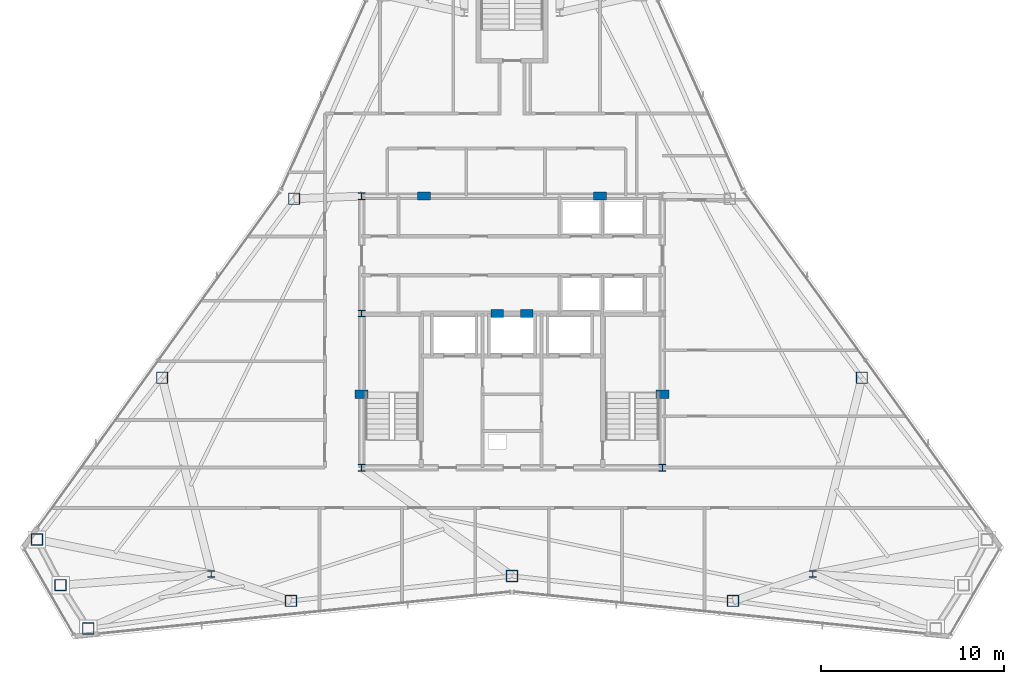
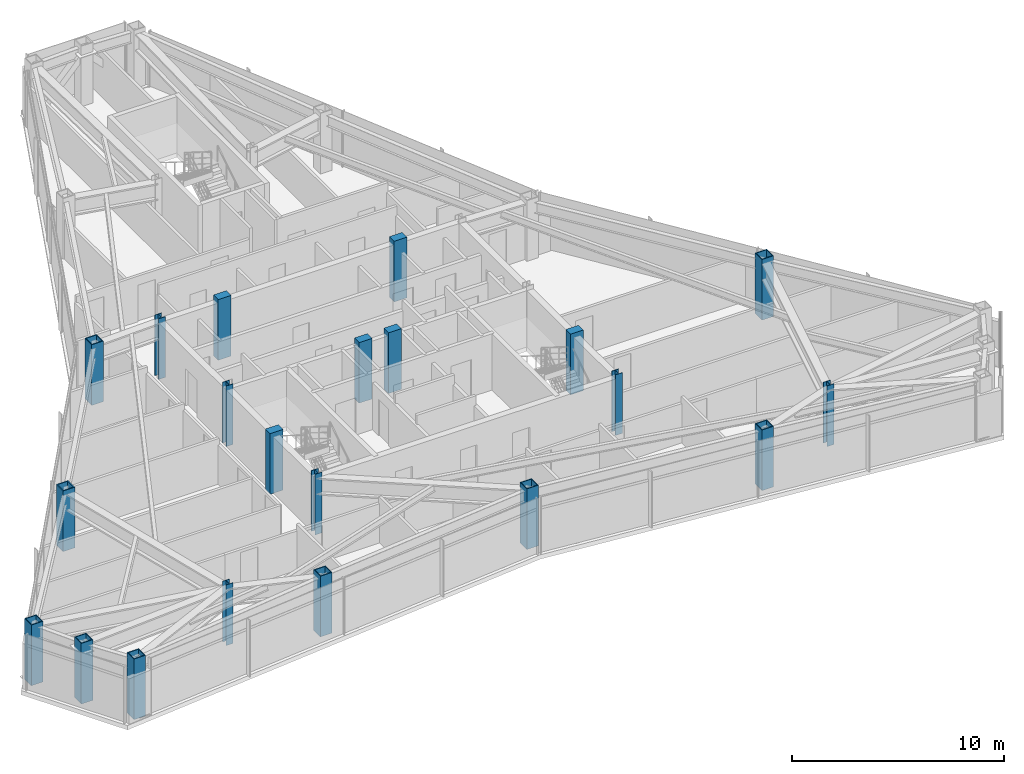
# One storey, part 1 of 12: 21 columns.
"""IFC4 building model written with IfcOpenShell, lengths in metres."""

from ifc_helpers import new_model, si_unit, direction, frame, origin, origin_2d, place, context, subcontext, project, spatial, rectangle, hollow_rectangle, i_section, extrude, material, material_profile, profile_set, type_object, element, save


model = new_model("IFC4")

# Units and contexts
model_context = context("Model", 3, precision=1e-05, world=origin(), true_north=direction((0.0, 1.0)))
body_context = subcontext(model_context, "Body", "Model", "MODEL_VIEW")
ifc_project = project(units=[si_unit("LENGTHUNIT", "METRE"), si_unit("AREAUNIT", "SQUARE_METRE"), si_unit("VOLUMEUNIT", "CUBIC_METRE"), si_unit("PLANEANGLEUNIT", "RADIAN"), si_unit("MASSUNIT", "GRAM", prefix="KILO")], contexts=[model_context])

# Site, building, storey
site_placement = place(None, origin())
site = spatial("IfcSite", under=ifc_project, at=site_placement, CompositionType="ELEMENT")
building_placement = place(site_placement, origin())
building = spatial("IfcBuilding", under=site, at=building_placement, Name="Varakhsha Concourse Tower", CompositionType="ELEMENT")
storey_placement = place(building_placement, frame((0.0, 0.0, 262.0)))
storey = spatial("IfcBuildingStorey", under=building, at=storey_placement, Name="L74", CompositionType="ELEMENT", Elevation=262.0)

# Columns
ifc_material_1 = material(Name="Structural Steel ASTM A992 Grade 50", Category="steel")
ifc_material_profile_1 = material_profile(ifc_material_1, i_section(OverallWidth=0.3740234375, OverallDepth=0.3720703125, WebThickness=0.01611328125, FlangeThickness=0.02587890625, at=origin_2d()), Name="W14X132")
ifc_profile_set_1 = profile_set([ifc_material_profile_1], Name="Structural Steel ASTM A992 Grade 50")
column_type_1 = type_object("IfcColumnType", Name="CL-CORE-W14X132", PredefinedType="COLUMN", material=ifc_profile_set_1)
for number, where, z_axis, x_axis, name in (
    (1, (31.800048828125, 16.39990234375, 0.0), (0.0, 0.0, 1.0), (1.0, 0.0, 0.0), "L74 Core Column CC-SW"),
    (2, (48.199951171875, 16.39990234375, 0.0), (0.0, 0.0, 1.0), (1.0, 0.0, 0.0), "L74 Core Column CC-SE"),
    (3, (31.800048828125, 24.800048828125, 0.0), (0.0, 0.0, 1.0), (1.0, 0.0, 0.0), "L74 Core Column CC-MW"),
    (4, (31.800048828125, 31.199951171875, 0.0), (0.0, 0.0, 1.0), (1.0, 0.0, 0.0), "L74 Core Column CC-NW"),
    (5, (23.60009765625, 10.60009765625, 0.0), (0.0, 0.0, 1.0), (1.0, 0.0, 0.0), "L74 Core Column SS-W"),
    (6, (56.39990234375, 10.60009765625, 0.0), (0.0, 0.0, 1.0), (1.0, 0.0, 0.0), "L74 Core Column SS-E"),
):
    element("IfcColumn", number, at=place(storey_placement, frame(where, z_axis=z_axis, x_axis=x_axis)), inside=storey, type_object=column_type_1, Name=name, PredefinedType="COLUMN", context=body_context, shape_type="SweptSolid", body=[
        extrude(i_section(OverallWidth=0.3740234375, OverallDepth=0.3720703125, WebThickness=0.01611328125, FlangeThickness=0.02587890625, at=origin_2d()), origin(), (0.0, 0.0, 1.0), 3.5),
    ])
ifc_material_2 = material(Name="Concrete fc 65 MPa", Category="concrete")
ifc_material_profile_2 = material_profile(ifc_material_2, rectangle(XDim=0.699951171875, YDim=0.449951171875, at=origin_2d()), Name="RC 700x450")
ifc_profile_set_2 = profile_set([ifc_material_profile_2], Name="Concrete fc 65 MPa")
column_type_2 = type_object("IfcColumnType", Name="CL-PIL-700X450", PredefinedType="PILASTER", material=ifc_profile_set_2)
for number, where, z_axis, x_axis, name in (
    (7, (31.800048828125, 20.39990234375, 0.0), (0.0, 0.0, 1.0), (1.0, 0.0, 0.0), "L74 Core Boundary Pilaster PIL-W1"),
    (8, (48.199951171875, 20.39990234375, 0.0), (0.0, 0.0, 1.0), (1.0, 0.0, 0.0), "L74 Core Boundary Pilaster PIL-E1"),
    (9, (35.199951171875, 31.199951171875, 0.0), (0.0, 0.0, 1.0), (1.0, 0.0, 0.0), "L74 Core Boundary Pilaster PIL-N1"),
    (10, (44.800048828125, 31.199951171875, 0.0), (0.0, 0.0, 1.0), (1.0, 0.0, 0.0), "L74 Core Boundary Pilaster PIL-N2"),
    (11, (39.199951171875, 24.800048828125, 0.0), (0.0, 0.0, 1.0), (1.0, 0.0, 0.0), "L74 Core Boundary Pilaster PIL-M1"),
    (12, (40.800048828125, 24.800048828125, 0.0), (0.0, 0.0, 1.0), (1.0, 0.0, 0.0), "L74 Core Boundary Pilaster PIL-M2"),
):
    element("IfcColumn", number, at=place(storey_placement, frame(where, z_axis=z_axis, x_axis=x_axis)), inside=storey, type_object=column_type_2, Name=name, PredefinedType="PILASTER", context=body_context, shape_type="SweptSolid", body=[
        extrude(rectangle(XDim=0.699951171875, YDim=0.449951171875, at=origin_2d()), origin(), (0.0, 0.0, 1.0), 3.5),
    ])
ifc_material_3 = material(Name="Structural Steel ASTM A572 Grade 50", Category="steel")
ifc_material_profile_3 = material_profile(ifc_material_3, hollow_rectangle(XDim=0.639892578125, YDim=0.639892578125, WallThickness=0.044921875, at=origin_2d()), Name="BOX 640x640x45")
ifc_profile_set_3 = profile_set([ifc_material_profile_3], Name="Structural Steel ASTM A572 Grade 50")
column_type_3 = type_object("IfcColumnType", Name="CL-TUBE-640", PredefinedType="COLUMN", material=ifc_profile_set_3)
for number, where, z_axis, x_axis, name in (
    (13, (28.125732421875, 31.0556640625, 0.0), (0.0, 0.0, 1.0), (1.0, 0.0, 0.0), "L74 Framed-Tube Column TC05"),
    (14, (20.92724609375, 21.29736328125, 0.0), (0.0, 0.0, 1.0), (1.0, 0.0, 0.0), "L74 Framed-Tube Column TC06"),
    (15, (14.10009765625, 12.47998046875, 0.0), (0.0, 0.0, 1.0), (1.0, 0.0, 0.0), "L74 Framed-Tube Column TC07"),
    (16, (15.39013671875, 9.991455078125, 0.0), (0.0, 0.0, 1.0), (1.0, 0.0, 0.0), "L74 Framed-Tube Column TC08"),
    (17, (16.900390625, 7.6298828125, 0.0), (0.0, 0.0, 1.0), (1.0, 0.0, 0.0), "L74 Framed-Tube Column TC09"),
    (18, (27.94970703125, 9.1337890625, 0.0), (0.0, 0.0, 1.0), (1.0, 0.0, 0.0), "L74 Framed-Tube Column TC10"),
    (19, (40.0, 10.48876953125, 0.0), (0.0, 0.0, 1.0), (1.0, 0.0, 0.0), "L74 Framed-Tube Column TC11"),
    (20, (52.05029296875, 9.1337890625, 0.0), (0.0, 0.0, 1.0), (1.0, 0.0, 0.0), "L74 Framed-Tube Column TC12"),
    (21, (59.07275390625, 21.29736328125, 0.0), (0.0, 0.0, 1.0), (1.0, 0.0, 0.0), "L74 Framed-Tube Column TC16"),
):
    element("IfcColumn", number, at=place(storey_placement, frame(where, z_axis=z_axis, x_axis=x_axis)), inside=storey, type_object=column_type_3, Name=name, PredefinedType="COLUMN", context=body_context, shape_type="SweptSolid", body=[
        extrude(hollow_rectangle(XDim=0.639892578125, YDim=0.639892578125, WallThickness=0.044921875, at=origin_2d()), origin(), (0.0, 0.0, 1.0), 3.5),
    ])

save(model, "model.ifc")
